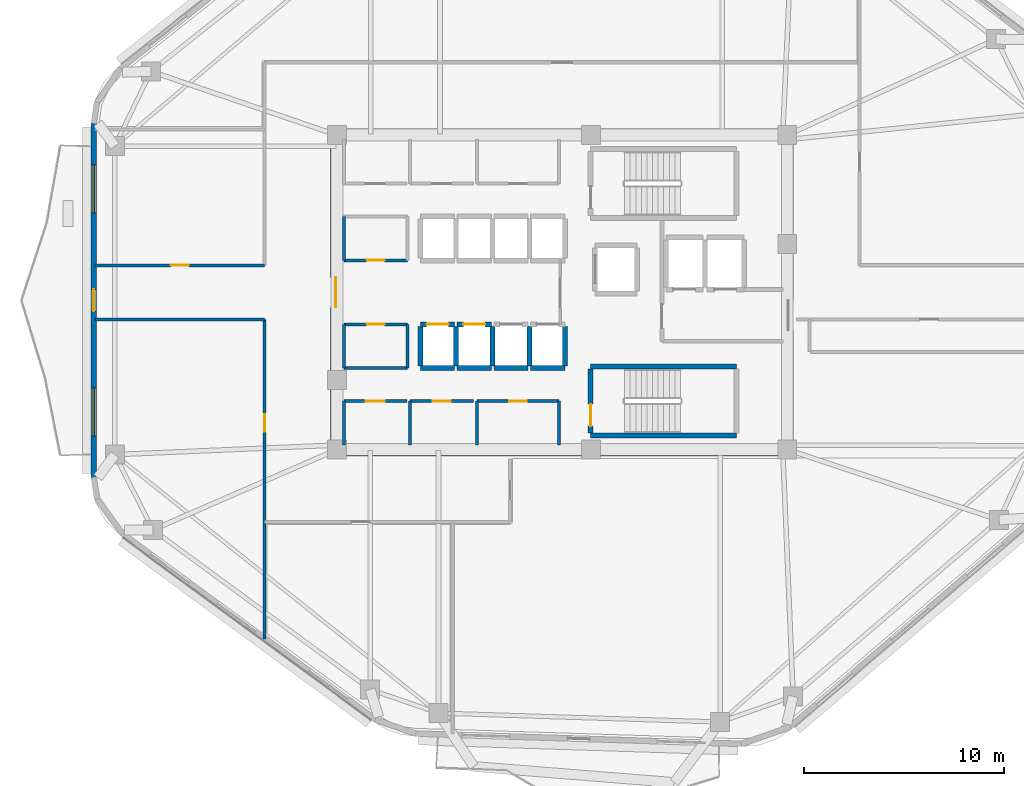
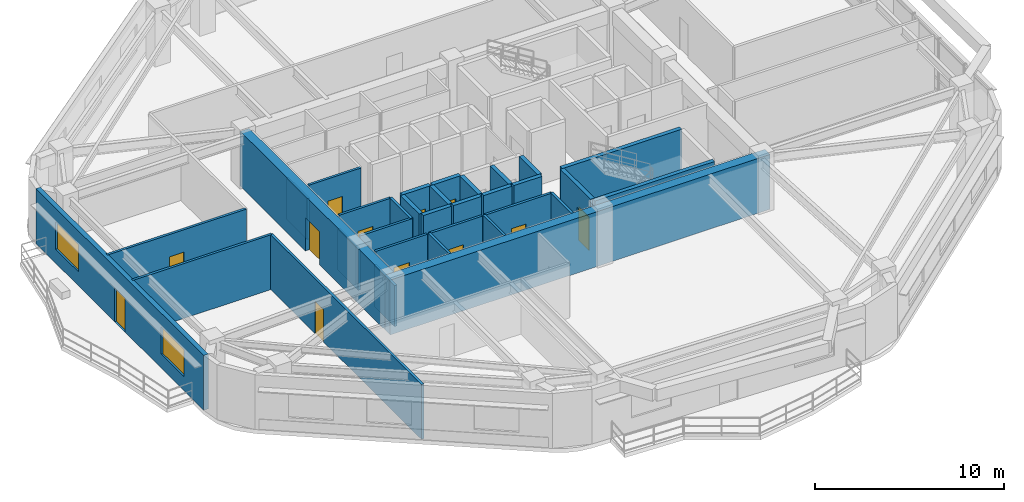
# One storey, part 8 of 14: 33 walls, 12 doors, 2 windows, 14 openings.
"""IFC4 building model written with IfcOpenShell, lengths in metres."""

from ifc_helpers import new_model, si_unit, direction, frame, frame_2d, origin, place, context, subcontext, project, spatial, rectangle, extrude, material, layer, layer_set, type_object, element, fill, save


model = new_model("IFC4")

# Units and contexts
model_context = context("Model", 3, precision=1e-05, world=origin(), true_north=direction((0.0, 1.0)))
body_context = subcontext(model_context, "Body", "Model", "MODEL_VIEW")
ifc_project = project(units=[si_unit("LENGTHUNIT", "METRE"), si_unit("AREAUNIT", "SQUARE_METRE"), si_unit("VOLUMEUNIT", "CUBIC_METRE"), si_unit("PLANEANGLEUNIT", "RADIAN"), si_unit("MASSUNIT", "GRAM", prefix="KILO")], contexts=[model_context])

# Site, building, storey
site_placement = place(None, origin())
site = spatial("IfcSite", under=ifc_project, at=site_placement, CompositionType="ELEMENT")
building_placement = place(site_placement, origin())
building = spatial("IfcBuilding", under=site, at=building_placement, Name="Zulverin Broadcast Headquarters", CompositionType="ELEMENT")
storey_placement = place(building_placement, frame((0.0, 0.0, 178.199951171875)))
storey = spatial("IfcBuildingStorey", under=building, at=storey_placement, Name="L45", CompositionType="ELEMENT", Elevation=178.199951171875)

# Wall
ifc_material_1 = material(Name="Concrete C60/75", Category="concrete")
ifc_layer_1 = layer(ifc_material_1, 0.550048828125, Name="Concrete C60/75", Category="concrete")
ifc_layer_set_1 = layer_set([ifc_layer_1], Name="Concrete C60/75")
wall_type_1 = type_object("IfcWallType", Name="WL-CORE-550", PredefinedType="SHEAR", material=ifc_layer_set_1)
wall_1_placement = place(storey_placement, frame((25.39990234375, 17.27490234375, 0.0), z_axis=(0.0, 0.0, 1.0), x_axis=(1.0, 0.0, 0.0)))
element("IfcWall", 1, at=wall_1_placement, inside=storey, type_object=wall_type_1, Name="L45 Core South Shear Wall", PredefinedType="SHEAR", context=body_context, shape_type="SweptSolid", body=[
    extrude(rectangle(XDim=23.2001953125, YDim=0.550048828125, at=frame_2d((11.60009765625, 0.0))), origin(), (0.0, 0.0, 1.0), 3.5400390625),
])

# Wall, opening, door
wall_2_placement = place(storey_placement, frame((25.675048828125, 17.550048828125, 0.0), z_axis=(0.0, 0.0, 1.0), x_axis=(0.0, 1.0, 0.0)))
wall_2 = element("IfcWall", 2, at=wall_2_placement, inside=storey, type_object=wall_type_1, Name="L45 Core West Shear Wall", PredefinedType="SHEAR", context=body_context, shape_type="SweptSolid", body=[
    extrude(rectangle(XDim=15.300048828125, YDim=0.550048828125, at=frame_2d((7.64990234375, 0.0))), origin(), (0.0, 0.0, 1.0), 3.5400390625),
])
opening_1_placement = place(wall_2_placement, frame((6.89990234375, 0.0, 0.0)))
opening_1 = element("IfcOpeningElement", 3, at=opening_1_placement, cuts=wall_2, Name="Opening D-L45-CW1", PredefinedType="OPENING", context=body_context, shape_type="SweptSolid", body=[
    extrude(rectangle(XDim=1.5, YDim=2.14990234375, at=frame_2d((0.75, 1.074951171875))), frame((0.0, 0.284912109375, 0.0), z_axis=(0.0, -1.0, 0.0), x_axis=(1.0, 0.0, 0.0)), (0.0, 0.0, 1.0), 0.570068359375),
])
ifc_material_2 = material(Name="Fire-rated glazed steel frame", Category="steel")
door_type_1 = type_object("IfcDoorType", Name="DR-COR-1500", OperationType="DOUBLE_DOOR_SINGLE_SWING", PredefinedType="DOOR", material=ifc_material_2)
door_1_placement = place(opening_1_placement, origin())
door_1 = element("IfcDoor", 4, at=door_1_placement, inside=storey, type_object=door_type_1, Name="L45 Central Lift Lobby West Portal Door", OperationType="DOUBLE_DOOR_SINGLE_SWING", OverallHeight=2.14990234375, OverallWidth=1.5, PredefinedType="DOOR", context=body_context, shape_type="SweptSolid", body=[
    extrude(rectangle(XDim=1.5, YDim=2.14990234375, at=frame_2d((0.75, 1.074951171875))), frame((0.0, 0.02490234375, 0.0), z_axis=(0.0, -1.0, 0.0), x_axis=(1.0, 0.0, 0.0)), (0.0, 0.0, 1.0), 0.050048828125),
])
fill(opening_1, door_1)

# Wall, openings, door, windows
ifc_material_3 = material(Name="Insulated pale-metal clad concrete spandrel C40/50", Category="concrete")
ifc_layer_2 = layer(ifc_material_3, 0.280029296875, Name="Insulated pale-metal clad concrete spandrel C40/50", Category="concrete")
ifc_layer_set_2 = layer_set([ifc_layer_2], Name="Insulated pale-metal clad concrete spandrel C40/50")
wall_type_2 = type_object("IfcWallType", Name="WL-EXT-280", PredefinedType="STANDARD", material=ifc_layer_set_2)
wall_3_placement = place(storey_placement, frame((13.5400390625, 33.673095703125, 0.0), z_axis=(0.0, 0.0, 1.0), x_axis=(0.0, -1.0, 0.0)))
wall_3 = element("IfcWall", 5, at=wall_3_placement, inside=storey, type_object=wall_type_2, Name="L45 Pale-Metal Clad Spandrel Wall 7", PredefinedType="STANDARD", context=body_context, shape_type="SweptSolid", body=[
    extrude(rectangle(XDim=17.751220703125, YDim=0.280029296875, at=frame_2d((8.87548828125, 0.0))), origin(), (0.0, 0.0, 1.0), 3.5400390625),
])
opening_2_placement = place(wall_3_placement, frame((8.32568359375, 0.0, 0.0)))
opening_2 = element("IfcOpeningElement", 6, at=opening_2_placement, cuts=wall_3, Name="Opening D-L45-TR7", PredefinedType="OPENING", context=body_context, shape_type="SweptSolid", body=[
    extrude(rectangle(XDim=1.10009765625, YDim=2.199951171875, at=frame_2d((0.550048828125, 1.10009765625))), frame((0.0, 0.14990234375, 0.0), z_axis=(0.0, -1.0, 0.0), x_axis=(1.0, 0.0, 0.0)), (0.0, 0.0, 1.0), 0.300048828125),
])
opening_3_placement = place(wall_3_placement, frame((2.091796875, 0.0, 0.89990234375)))
opening_3 = element("IfcOpeningElement", 7, at=opening_3_placement, cuts=wall_3, Name="Opening W-L45-E71", PredefinedType="OPENING", context=body_context, shape_type="SweptSolid", body=[
    extrude(rectangle(XDim=2.39990234375, YDim=1.75, at=frame_2d((1.199951171875, 0.875))), frame((0.0, 0.14990234375, 0.0), z_axis=(0.0, -1.0, 0.0), x_axis=(1.0, 0.0, 0.0)), (0.0, 0.0, 1.0), 0.300048828125),
])
opening_4_placement = place(wall_3_placement, frame((13.259521484375, 0.0, 0.89990234375)))
opening_4 = element("IfcOpeningElement", 8, at=opening_4_placement, cuts=wall_3, Name="Opening W-L45-E72", PredefinedType="OPENING", context=body_context, shape_type="SweptSolid", body=[
    extrude(rectangle(XDim=2.39990234375, YDim=1.75, at=frame_2d((1.199951171875, 0.875))), frame((0.0, 0.14990234375, 0.0), z_axis=(0.0, -1.0, 0.0), x_axis=(1.0, 0.0, 0.0)), (0.0, 0.0, 1.0), 0.300048828125),
])
ifc_material_4 = material(Name="Thermally broken aluminium glazed", Category="aluminium")
door_type_2 = type_object("IfcDoorType", Name="DR-TERR-1100", OperationType="SINGLE_SWING_RIGHT", PredefinedType="DOOR", material=ifc_material_4)
door_2_placement = place(opening_2_placement, origin())
door_2 = element("IfcDoor", 9, at=door_2_placement, inside=storey, type_object=door_type_2, Name="L45 Planted Terrace Glazed Access Door 7", OperationType="SINGLE_SWING_RIGHT", OverallHeight=2.199951171875, OverallWidth=1.10009765625, PredefinedType="DOOR", context=body_context, shape_type="SweptSolid", body=[
    extrude(rectangle(XDim=1.10009765625, YDim=2.199951171875, at=frame_2d((0.550048828125, 1.10009765625))), frame((0.0, 0.02490234375, 0.0), z_axis=(0.0, -1.0, 0.0), x_axis=(1.0, 0.0, 0.0)), (0.0, 0.0, 1.0), 0.050048828125),
])
fill(opening_2, door_2)
ifc_material_5 = material(Name="Pale anodized aluminium frame with solar-control low-E double glazing", Category="aluminium")
window_type = type_object("IfcWindowType", Name="WIN-RIB-2400", PartitioningType="SINGLE_PANEL", PredefinedType="WINDOW", material=ifc_material_5)
window_1_placement = place(opening_3_placement, origin())
window_1 = element("IfcWindow", 10, at=window_1_placement, inside=storey, type_object=window_type, Name="L45 Ribbon Glazing Window 7 1", OverallHeight=1.75, OverallWidth=2.39990234375, PartitioningType="SINGLE_PANEL", PredefinedType="WINDOW", context=body_context, shape_type="SweptSolid", body=[
    extrude(rectangle(XDim=2.39990234375, YDim=1.75, at=frame_2d((1.199951171875, 0.875))), frame((0.0, 0.030029296875, 0.0), z_axis=(0.0, -1.0, 0.0), x_axis=(1.0, 0.0, 0.0)), (0.0, 0.0, 1.0), 0.06005859375),
])
fill(opening_3, window_1)
window_2_placement = place(opening_4_placement, origin())
window_2 = element("IfcWindow", 11, at=window_2_placement, inside=storey, type_object=window_type, Name="L45 Ribbon Glazing Window 7 2", OverallHeight=1.75, OverallWidth=2.39990234375, PartitioningType="SINGLE_PANEL", PredefinedType="WINDOW", context=body_context, shape_type="SweptSolid", body=[
    extrude(rectangle(XDim=2.39990234375, YDim=1.75, at=frame_2d((1.199951171875, 0.875))), frame((0.0, 0.030029296875, 0.0), z_axis=(0.0, -1.0, 0.0), x_axis=(1.0, 0.0, 0.0)), (0.0, 0.0, 1.0), 0.06005859375),
])
fill(opening_4, window_2)

# Wall, opening, door
ifc_material_6 = material(Name="Fire-rated gypsum stud partition", Category="gypsum")
ifc_layer_3 = layer(ifc_material_6, 0.14990234375, Name="Fire-rated gypsum stud partition", Category="gypsum")
ifc_layer_set_3 = layer_set([ifc_layer_3], Name="Fire-rated gypsum stud partition")
wall_type_3 = type_object("IfcWallType", Name="WL-PART-150", PredefinedType="PARTITIONING", material=ifc_layer_set_3)
wall_4_placement = place(storey_placement, frame((26.070068359375, 19.75, 0.0), z_axis=(0.0, 0.0, 1.0), x_axis=(1.0, 0.0, 0.0)))
wall_4 = element("IfcWall", 12, at=wall_4_placement, inside=storey, type_object=wall_type_3, Name="L45 Core Female WC Front Wall", PredefinedType="PARTITIONING", context=body_context, shape_type="SweptSolid", body=[
    extrude(rectangle(XDim=3.14990234375, YDim=0.14990234375, at=frame_2d((1.574951171875, 0.0))), origin(), (0.0, 0.0, 1.0), 3.5400390625),
])
opening_5_placement = place(wall_4_placement, frame((1.10009765625, 0.0, 0.0)))
opening_5 = element("IfcOpeningElement", 13, at=opening_5_placement, cuts=wall_4, Name="Opening D-L45-SC1", PredefinedType="OPENING", context=body_context, shape_type="SweptSolid", body=[
    extrude(rectangle(XDim=0.949951171875, YDim=2.10009765625, at=frame_2d((0.47509765625, 1.050048828125))), frame((0.0, 0.0849609375, 0.0), z_axis=(0.0, -1.0, 0.0), x_axis=(1.0, 0.0, 0.0)), (0.0, 0.0, 1.0), 0.169921875),
])
ifc_material_7 = material(Name="Fire-rated moisture-resistant laminate leaf", Category="wood")
door_type_3 = type_object("IfcDoorType", Name="DR-WC-950", OperationType="SINGLE_SWING_LEFT", PredefinedType="DOOR", material=ifc_material_7)
door_3_placement = place(opening_5_placement, origin())
door_3 = element("IfcDoor", 14, at=door_3_placement, inside=storey, type_object=door_type_3, Name="L45 Female WC Door", OperationType="SINGLE_SWING_RIGHT", OverallHeight=2.10009765625, OverallWidth=0.949951171875, PredefinedType="DOOR", context=body_context, shape_type="SweptSolid", body=[
    extrude(rectangle(XDim=0.949951171875, YDim=2.10009765625, at=frame_2d((0.47509765625, 1.050048828125))), frame((0.0, 0.02490234375, 0.0), z_axis=(0.0, -1.0, 0.0), x_axis=(1.0, 0.0, 0.0)), (0.0, 0.0, 1.0), 0.050048828125),
])
fill(opening_5, door_3)

# Wall
wall_5_placement = place(storey_placement, frame((26.070068359375, 17.550048828125, 0.0), z_axis=(0.0, 0.0, 1.0), x_axis=(0.0, 1.0, 0.0)))
element("IfcWall", 15, at=wall_5_placement, inside=storey, type_object=wall_type_3, Name="L45 Core Female WC West Wall", PredefinedType="PARTITIONING", context=body_context, shape_type="SweptSolid", body=[
    extrude(rectangle(XDim=2.199951171875, YDim=0.14990234375, at=frame_2d((1.10009765625, 0.0))), origin(), (0.0, 0.0, 1.0), 2.64013671875),
])

# Wall, opening, door
wall_6_placement = place(storey_placement, frame((29.3798828125, 19.75, 0.0), z_axis=(0.0, 0.0, 1.0), x_axis=(1.0, 0.0, 0.0)))
wall_6 = element("IfcWall", 16, at=wall_6_placement, inside=storey, type_object=wall_type_3, Name="L45 Core Cleaner Store Front Wall", PredefinedType="PARTITIONING", context=body_context, shape_type="SweptSolid", body=[
    extrude(rectangle(XDim=3.190185546875, YDim=0.14990234375, at=frame_2d((1.59521484375, 0.0))), origin(), (0.0, 0.0, 1.0), 3.5400390625),
])
opening_6_placement = place(wall_6_placement, frame((1.14501953125, 0.0, 0.0)))
opening_6 = element("IfcOpeningElement", 17, at=opening_6_placement, cuts=wall_6, Name="Opening D-L45-SC2", PredefinedType="OPENING", context=body_context, shape_type="SweptSolid", body=[
    extrude(rectangle(XDim=0.89990234375, YDim=2.10009765625, at=frame_2d((0.449951171875, 1.050048828125))), frame((0.0, 0.0849609375, 0.0), z_axis=(0.0, -1.0, 0.0), x_axis=(1.0, 0.0, 0.0)), (0.0, 0.0, 1.0), 0.169921875),
])
ifc_material_8 = material(Name="Powder-coated steel access leaf", Category="steel")
door_type_4 = type_object("IfcDoorType", Name="DR-RISER-900", OperationType="SINGLE_SWING_LEFT", PredefinedType="DOOR", material=ifc_material_8)
door_4_placement = place(opening_6_placement, origin())
door_4 = element("IfcDoor", 18, at=door_4_placement, inside=storey, type_object=door_type_4, Name="L45 Cleaner Store Door", OperationType="SINGLE_SWING_LEFT", OverallHeight=2.10009765625, OverallWidth=0.89990234375, PredefinedType="DOOR", context=body_context, shape_type="SweptSolid", body=[
    extrude(rectangle(XDim=0.89990234375, YDim=2.10009765625, at=frame_2d((0.449951171875, 1.050048828125))), frame((0.0, 0.02490234375, 0.0), z_axis=(0.0, -1.0, 0.0), x_axis=(1.0, 0.0, 0.0)), (0.0, 0.0, 1.0), 0.050048828125),
])
fill(opening_6, door_4)

# Wall
wall_7_placement = place(storey_placement, frame((29.3798828125, 17.550048828125, 0.0), z_axis=(0.0, 0.0, 1.0), x_axis=(0.0, 1.0, 0.0)))
element("IfcWall", 19, at=wall_7_placement, inside=storey, type_object=wall_type_3, Name="L45 Core Cleaner Store West Wall", PredefinedType="PARTITIONING", context=body_context, shape_type="SweptSolid", body=[
    extrude(rectangle(XDim=2.199951171875, YDim=0.14990234375, at=frame_2d((1.10009765625, 0.0))), origin(), (0.0, 0.0, 1.0), 3.5400390625),
])

# Wall, opening, door
wall_8_placement = place(storey_placement, frame((32.72998046875, 19.75, 0.0), z_axis=(0.0, 0.0, 1.0), x_axis=(1.0, 0.0, 0.0)))
wall_8 = element("IfcWall", 20, at=wall_8_placement, inside=storey, type_object=wall_type_3, Name="L45 Core Broadcast Fibre Riser Front Wall", PredefinedType="PARTITIONING", context=body_context, shape_type="SweptSolid", body=[
    extrude(rectangle(XDim=4.1201171875, YDim=0.14990234375, at=frame_2d((2.06005859375, 0.0))), origin(), (0.0, 0.0, 1.0), 3.5400390625),
])
opening_7_placement = place(wall_8_placement, frame((1.610107421875, 0.0, 0.0)))
opening_7 = element("IfcOpeningElement", 21, at=opening_7_placement, cuts=wall_8, Name="Opening D-L45-SC3", PredefinedType="OPENING", context=body_context, shape_type="SweptSolid", body=[
    extrude(rectangle(XDim=0.89990234375, YDim=2.10009765625, at=frame_2d((0.449951171875, 1.050048828125))), frame((0.0, 0.0849609375, 0.0), z_axis=(0.0, -1.0, 0.0), x_axis=(1.0, 0.0, 0.0)), (0.0, 0.0, 1.0), 0.169921875),
])
door_5_placement = place(opening_7_placement, origin())
door_5 = element("IfcDoor", 22, at=door_5_placement, inside=storey, type_object=door_type_4, Name="L45 Broadcast Fibre Riser Door", OperationType="SINGLE_SWING_RIGHT", OverallHeight=2.10009765625, OverallWidth=0.89990234375, PredefinedType="DOOR", context=body_context, shape_type="SweptSolid", body=[
    extrude(rectangle(XDim=0.89990234375, YDim=2.10009765625, at=frame_2d((0.449951171875, 1.050048828125))), frame((0.0, 0.02490234375, 0.0), z_axis=(0.0, -1.0, 0.0), x_axis=(1.0, 0.0, 0.0)), (0.0, 0.0, 1.0), 0.050048828125),
])
fill(opening_7, door_5)

# Walls
for number, where, z_axis, x_axis, name in (
    (23, (32.72998046875, 17.550048828125, 0.0), (0.0, 0.0, 1.0), (0.0, 1.0, 0.0), "L45 Core Broadcast Fibre Riser West Wall"),
    (24, (36.85009765625, 17.550048828125, 0.0), (0.0, 0.0, 1.0), (0.0, 1.0, 0.0), "L45 Core Broadcast Fibre Riser East Wall"),
):
    element("IfcWall", number, at=place(storey_placement, frame(where, z_axis=z_axis, x_axis=x_axis)), inside=storey, type_object=wall_type_3, Name=name, PredefinedType="PARTITIONING", context=body_context, shape_type="SweptSolid", body=[
        extrude(rectangle(XDim=2.199951171875, YDim=0.14990234375, at=frame_2d((1.10009765625, 0.0))), origin(), (0.0, 0.0, 1.0), 3.5400390625),
    ])

# Wall, opening, door
wall_9_placement = place(storey_placement, frame((26.070068359375, 26.800048828125, 0.0), z_axis=(0.0, 0.0, 1.0), x_axis=(1.0, 0.0, 0.0)))
wall_9 = element("IfcWall", 25, at=wall_9_placement, inside=storey, type_object=wall_type_3, Name="L45 Core UPS Battery Store S Wall", PredefinedType="PARTITIONING", context=body_context, shape_type="SweptSolid", body=[
    extrude(rectangle(XDim=3.179931640625, YDim=0.14990234375, at=frame_2d((1.58984375, 0.0))), origin(), (0.0, 0.0, 1.0), 3.5400390625),
])
opening_8_placement = place(wall_9_placement, frame((1.139892578125, 0.0, 0.0)))
opening_8 = element("IfcOpeningElement", 26, at=opening_8_placement, cuts=wall_9, Name="Opening D-L45-RCLN", PredefinedType="OPENING", context=body_context, shape_type="SweptSolid", body=[
    extrude(rectangle(XDim=0.89990234375, YDim=2.10009765625, at=frame_2d((0.449951171875, 1.050048828125))), frame((0.0, 0.0849609375, 0.0), z_axis=(0.0, -1.0, 0.0), x_axis=(1.0, 0.0, 0.0)), (0.0, 0.0, 1.0), 0.169921875),
])
door_6_placement = place(opening_8_placement, origin())
door_6 = element("IfcDoor", 27, at=door_6_placement, inside=storey, type_object=door_type_4, Name="L45 Core UPS Battery Store Door", OperationType="SINGLE_SWING_LEFT", OverallHeight=2.10009765625, OverallWidth=0.89990234375, PredefinedType="DOOR", context=body_context, shape_type="SweptSolid", body=[
    extrude(rectangle(XDim=0.89990234375, YDim=2.10009765625, at=frame_2d((0.449951171875, 1.050048828125))), frame((0.0, 0.02490234375, 0.0), z_axis=(0.0, -1.0, 0.0), x_axis=(1.0, 0.0, 0.0)), (0.0, 0.0, 1.0), 0.050048828125),
])
fill(opening_8, door_6)

# Walls
wall_10_placement = place(storey_placement, frame((26.070068359375, 26.800048828125, 0.0), z_axis=(0.0, 0.0, 1.0), x_axis=(0.0, 1.0, 0.0)))
element("IfcWall", 28, at=wall_10_placement, inside=storey, type_object=wall_type_3, Name="L45 Core UPS Battery Store W Wall", PredefinedType="PARTITIONING", context=body_context, shape_type="SweptSolid", body=[
    extrude(rectangle(XDim=2.199951171875, YDim=0.14990234375, at=frame_2d((1.10009765625, 0.0))), origin(), (0.0, 0.0, 1.0), 2.64013671875),
])
wall_11_placement = place(storey_placement, frame((26.070068359375, 21.39990234375, 0.0), z_axis=(0.0, 0.0, 1.0), x_axis=(1.0, 0.0, 0.0)))
element("IfcWall", 29, at=wall_11_placement, inside=storey, type_object=wall_type_3, Name="L45 Housekeeping Equipment Store S Wall", PredefinedType="PARTITIONING", context=body_context, shape_type="SweptSolid", body=[
    extrude(rectangle(XDim=3.179931640625, YDim=0.14990234375, at=frame_2d((1.58984375, 0.0))), origin(), (0.0, 0.0, 1.0), 3.5400390625),
])

# Wall, opening, door
wall_12_placement = place(storey_placement, frame((26.070068359375, 23.60009765625, 0.0), z_axis=(0.0, 0.0, 1.0), x_axis=(1.0, 0.0, 0.0)))
wall_12 = element("IfcWall", 30, at=wall_12_placement, inside=storey, type_object=wall_type_3, Name="L45 Housekeeping Equipment Store N Wall", PredefinedType="PARTITIONING", context=body_context, shape_type="SweptSolid", body=[
    extrude(rectangle(XDim=3.179931640625, YDim=0.14990234375, at=frame_2d((1.58984375, 0.0))), origin(), (0.0, 0.0, 1.0), 3.5400390625),
])
opening_9_placement = place(wall_12_placement, frame((1.139892578125, 0.0, 0.0)))
opening_9 = element("IfcOpeningElement", 31, at=opening_9_placement, cuts=wall_12, Name="Opening D-L45-RCLS", PredefinedType="OPENING", context=body_context, shape_type="SweptSolid", body=[
    extrude(rectangle(XDim=0.89990234375, YDim=2.10009765625, at=frame_2d((0.449951171875, 1.050048828125))), frame((0.0, 0.0849609375, 0.0), z_axis=(0.0, -1.0, 0.0), x_axis=(1.0, 0.0, 0.0)), (0.0, 0.0, 1.0), 0.169921875),
])
door_7_placement = place(opening_9_placement, origin())
door_7 = element("IfcDoor", 32, at=door_7_placement, inside=storey, type_object=door_type_4, Name="L45 Housekeeping Equipment Store Door", OperationType="SINGLE_SWING_RIGHT", OverallHeight=2.10009765625, OverallWidth=0.89990234375, PredefinedType="DOOR", context=body_context, shape_type="SweptSolid", body=[
    extrude(rectangle(XDim=0.89990234375, YDim=2.10009765625, at=frame_2d((0.449951171875, 1.050048828125))), frame((0.0, 0.02490234375, 0.0), z_axis=(0.0, -1.0, 0.0), x_axis=(1.0, 0.0, 0.0)), (0.0, 0.0, 1.0), 0.050048828125),
])
fill(opening_9, door_7)

# Walls
wall_13_placement = place(storey_placement, frame((26.070068359375, 21.39990234375, 0.0), z_axis=(0.0, 0.0, 1.0), x_axis=(0.0, 1.0, 0.0)))
element("IfcWall", 33, at=wall_13_placement, inside=storey, type_object=wall_type_3, Name="L45 Housekeeping Equipment Store W Wall", PredefinedType="PARTITIONING", context=body_context, shape_type="SweptSolid", body=[
    extrude(rectangle(XDim=2.2001953125, YDim=0.14990234375, at=frame_2d((1.10009765625, 0.0))), origin(), (0.0, 0.0, 1.0), 2.64013671875),
])
wall_14_placement = place(storey_placement, frame((29.25, 21.39990234375, 0.0), z_axis=(0.0, 0.0, 1.0), x_axis=(0.0, 1.0, 0.0)))
element("IfcWall", 34, at=wall_14_placement, inside=storey, type_object=wall_type_3, Name="L45 Housekeeping Equipment Store E Wall", PredefinedType="PARTITIONING", context=body_context, shape_type="SweptSolid", body=[
    extrude(rectangle(XDim=2.2001953125, YDim=0.14990234375, at=frame_2d((1.10009765625, 0.0))), origin(), (0.0, 0.0, 1.0), 3.5400390625),
])

# Wall, opening, door
wall_15_placement = place(storey_placement, frame((22.10009765625, 7.846435546875, 0.0), z_axis=(0.0, 0.0, 1.0), x_axis=(0.0, 1.0, 0.0)))
wall_15 = element("IfcWall", 35, at=wall_15_placement, inside=storey, type_object=wall_type_3, Name="L45 Gallery Partition Wall CG-05", PredefinedType="PARTITIONING", context=body_context, shape_type="SweptSolid", body=[
    extrude(rectangle(XDim=16.003662109375, YDim=0.14990234375, at=frame_2d((8.001953125, 0.0))), origin(), (0.0, 0.0, 1.0), 3.5400390625),
])
opening_10_placement = place(wall_15_placement, frame((10.358642578125, 0.0, 0.0)))
opening_10 = element("IfcOpeningElement", 36, at=opening_10_placement, cuts=wall_15, Name="Opening D-L45-04", PredefinedType="OPENING", context=body_context, shape_type="SweptSolid", body=[
    extrude(rectangle(XDim=0.89990234375, YDim=2.10009765625, at=frame_2d((0.449951171875, 1.050048828125))), frame((0.0, 0.0849609375, 0.0), z_axis=(0.0, -1.0, 0.0), x_axis=(1.0, 0.0, 0.0)), (0.0, 0.0, 1.0), 0.169921875),
])
ifc_material_9 = material(Name="Fire-rated hardwood veneer timber leaf", Category="wood")
door_type_5 = type_object("IfcDoorType", Name="DR-ROOM-900", OperationType="SINGLE_SWING_RIGHT", PredefinedType="DOOR", material=ifc_material_9)
door_8_placement = place(opening_10_placement, origin())
door_8 = element("IfcDoor", 37, at=door_8_placement, inside=storey, type_object=door_type_5, Name="L45 Systems Control Suite Door", OperationType="SINGLE_SWING_LEFT", OverallHeight=2.10009765625, OverallWidth=0.89990234375, PredefinedType="DOOR", context=body_context, shape_type="SweptSolid", body=[
    extrude(rectangle(XDim=0.89990234375, YDim=2.10009765625, at=frame_2d((0.449951171875, 1.050048828125))), frame((0.0, 0.02490234375, 0.0), z_axis=(0.0, -1.0, 0.0), x_axis=(1.0, 0.0, 0.0)), (0.0, 0.0, 1.0), 0.050048828125),
])
fill(opening_10, door_8)

# Wall
wall_16_placement = place(storey_placement, frame((13.60498046875, 23.85009765625, 0.0), z_axis=(0.0, 0.0, 1.0), x_axis=(1.0, 0.0, 0.0)))
element("IfcWall", 38, at=wall_16_placement, inside=storey, type_object=wall_type_3, Name="L45 Gallery Partition Wall CG-09", PredefinedType="PARTITIONING", context=body_context, shape_type="SweptSolid", body=[
    extrude(rectangle(XDim=8.4951171875, YDim=0.14990234375, at=frame_2d((4.24755859375, 0.0))), origin(), (0.0, 0.0, 1.0), 3.5400390625),
])

# Wall, opening, door
wall_17_placement = place(storey_placement, frame((13.60498046875, 26.550048828125, 0.0), z_axis=(0.0, 0.0, 1.0), x_axis=(1.0, 0.0, 0.0)))
wall_17 = element("IfcWall", 39, at=wall_17_placement, inside=storey, type_object=wall_type_3, Name="L45 Gallery Partition Wall CG-11", PredefinedType="PARTITIONING", context=body_context, shape_type="SweptSolid", body=[
    extrude(rectangle(XDim=8.4951171875, YDim=0.14990234375, at=frame_2d((4.24755859375, 0.0))), origin(), (0.0, 0.0, 1.0), 3.5400390625),
])
opening_11_placement = place(wall_17_placement, frame((3.797607421875, 0.0, 0.0)))
opening_11 = element("IfcOpeningElement", 40, at=opening_11_placement, cuts=wall_17, Name="Opening D-L45-05", PredefinedType="OPENING", context=body_context, shape_type="SweptSolid", body=[
    extrude(rectangle(XDim=0.89990234375, YDim=2.10009765625, at=frame_2d((0.449951171875, 1.050048828125))), frame((0.0, 0.0849609375, 0.0), z_axis=(0.0, -1.0, 0.0), x_axis=(1.0, 0.0, 0.0)), (0.0, 0.0, 1.0), 0.169921875),
])
door_9_placement = place(opening_11_placement, origin())
door_9 = element("IfcDoor", 41, at=door_9_placement, inside=storey, type_object=door_type_5, Name="L45 Conference Room Door", OperationType="SINGLE_SWING_RIGHT", OverallHeight=2.10009765625, OverallWidth=0.89990234375, PredefinedType="DOOR", context=body_context, shape_type="SweptSolid", body=[
    extrude(rectangle(XDim=0.89990234375, YDim=2.10009765625, at=frame_2d((0.449951171875, 1.050048828125))), frame((0.0, 0.02490234375, 0.0), z_axis=(0.0, -1.0, 0.0), x_axis=(1.0, 0.0, 0.0)), (0.0, 0.0, 1.0), 0.050048828125),
])
fill(opening_11, door_9)

# Walls
ifc_material_10 = material(Name="Concrete C50/60", Category="concrete")
ifc_layer_4 = layer(ifc_material_10, 0.25, Name="Concrete C50/60", Category="concrete")
ifc_layer_set_4 = layer_set([ifc_layer_4], Name="Concrete C50/60")
wall_type_4 = type_object("IfcWallType", Name="WL-SHAFT-250", PredefinedType="SHEAR", material=ifc_layer_set_4)
for number, where, z_axis, x_axis, name in (
    (42, (38.425048828125, 18.02490234375, 0.0), (0.0, 0.0, 1.0), (1.0, 0.0, 0.0), "L45 ST-2 Enclosure Wall S"),
    (43, (38.425048828125, 21.47509765625, 0.0), (0.0, 0.0, 1.0), (1.0, 0.0, 0.0), "L45 ST-2 Enclosure Wall N"),
):
    element("IfcWall", number, at=place(storey_placement, frame(where, z_axis=z_axis, x_axis=x_axis)), inside=storey, type_object=wall_type_4, Name=name, PredefinedType="SHEAR", context=body_context, shape_type="SweptSolid", body=[
        extrude(rectangle(XDim=7.300048828125, YDim=0.25, at=frame_2d((3.64990234375, 0.0))), origin(), (0.0, 0.0, 1.0), 3.5400390625),
    ])

# Wall, opening, door
wall_18_placement = place(storey_placement, frame((38.425048828125, 18.14990234375, 0.0), z_axis=(0.0, 0.0, 1.0), x_axis=(0.0, 1.0, 0.0)))
wall_18 = element("IfcWall", 44, at=wall_18_placement, inside=storey, type_object=wall_type_4, Name="L45 ST-2 Enclosure Wall W", PredefinedType="SHEAR", context=body_context, shape_type="SweptSolid", body=[
    extrude(rectangle(XDim=3.2001953125, YDim=0.25, at=frame_2d((1.60009765625, 0.0))), origin(), (0.0, 0.0, 1.0), 3.5400390625),
])
opening_12_placement = place(wall_18_placement, frame((0.35009765625, 0.0, 0.0)))
opening_12 = element("IfcOpeningElement", 45, at=opening_12_placement, cuts=wall_18, Name="Opening D-L45-ST-2", PredefinedType="OPENING", context=body_context, shape_type="SweptSolid", body=[
    extrude(rectangle(XDim=1.10009765625, YDim=2.14990234375, at=frame_2d((0.550048828125, 1.074951171875))), frame((0.0, 0.135009765625, 0.0), z_axis=(0.0, -1.0, 0.0), x_axis=(1.0, 0.0, 0.0)), (0.0, 0.0, 1.0), 0.27001953125),
])
ifc_material_11 = material(Name="Fire-rated steel leaf and frame", Category="steel")
door_type_6 = type_object("IfcDoorType", Name="DR-STAIR-1100", OperationType="SINGLE_SWING_LEFT", PredefinedType="DOOR", material=ifc_material_11)
door_10_placement = place(opening_12_placement, origin())
door_10 = element("IfcDoor", 46, at=door_10_placement, inside=storey, type_object=door_type_6, Name="L45 Exit Stair ST-2 Fire Door", OperationType="SINGLE_SWING_RIGHT", OverallHeight=2.14990234375, OverallWidth=1.10009765625, PredefinedType="DOOR", context=body_context, shape_type="SweptSolid", body=[
    extrude(rectangle(XDim=1.10009765625, YDim=2.14990234375, at=frame_2d((0.550048828125, 1.074951171875))), frame((0.0, 0.02490234375, 0.0), z_axis=(0.0, -1.0, 0.0), x_axis=(1.0, 0.0, 0.0)), (0.0, 0.0, 1.0), 0.050048828125),
])
fill(opening_12, door_10)

# Wall
wall_19_placement = place(storey_placement, frame((29.89990234375, 21.39990234375, 0.0), z_axis=(0.0, 0.0, 1.0), x_axis=(1.0, 0.0, 0.0)))
element("IfcWall", 47, at=wall_19_placement, inside=storey, type_object=wall_type_4, Name="L45 Lift PL-M1 Shaft Wall S", PredefinedType="SHEAR", context=body_context, shape_type="SweptSolid", body=[
    extrude(rectangle(XDim=1.72021484375, YDim=0.25, at=frame_2d((0.860107421875, 0.0))), origin(), (0.0, 0.0, 1.0), 3.5400390625),
])

# Wall, opening, door
wall_20_placement = place(storey_placement, frame((29.89990234375, 23.60009765625, 0.0), z_axis=(0.0, 0.0, 1.0), x_axis=(1.0, 0.0, 0.0)))
wall_20 = element("IfcWall", 48, at=wall_20_placement, inside=storey, type_object=wall_type_4, Name="L45 Lift PL-M1 Shaft Wall N", PredefinedType="SHEAR", context=body_context, shape_type="SweptSolid", body=[
    extrude(rectangle(XDim=1.72021484375, YDim=0.25, at=frame_2d((0.860107421875, 0.0))), origin(), (0.0, 0.0, 1.0), 3.5400390625),
])
opening_13_placement = place(wall_20_placement, frame((0.31005859375, 0.0, 0.0)))
opening_13 = element("IfcOpeningElement", 49, at=opening_13_placement, cuts=wall_20, Name="Opening LD-PL-M1-L45", PredefinedType="OPENING", context=body_context, shape_type="SweptSolid", body=[
    extrude(rectangle(XDim=1.10009765625, YDim=2.14990234375, at=frame_2d((0.550048828125, 1.074951171875))), frame((0.0, 0.135009765625, 0.0), z_axis=(0.0, -1.0, 0.0), x_axis=(1.0, 0.0, 0.0)), (0.0, 0.0, 1.0), 0.27001953125),
])
ifc_material_12 = material(Name="Brushed stainless steel landing", Category="steel")
door_type_7 = type_object("IfcDoorType", Name="LD-PASS-1100", OperationType="DOUBLE_DOOR_SLIDING", PredefinedType="DOOR", material=ifc_material_12)
door_11_placement = place(opening_13_placement, origin())
door_11 = element("IfcDoor", 50, at=door_11_placement, inside=storey, type_object=door_type_7, Name="L45 Lift PL-M1 Sliding Landing Door", OperationType="DOUBLE_DOOR_SLIDING", OverallHeight=2.14990234375, OverallWidth=1.10009765625, PredefinedType="DOOR", context=body_context, shape_type="SweptSolid", body=[
    extrude(rectangle(XDim=1.10009765625, YDim=2.14990234375, at=frame_2d((0.550048828125, 1.074951171875))), frame((0.0, 0.02490234375, 0.0), z_axis=(0.0, -1.0, 0.0), x_axis=(1.0, 0.0, 0.0)), (0.0, 0.0, 1.0), 0.050048828125),
])
fill(opening_13, door_11)

# Walls
for number, where, z_axis, x_axis, name in (
    (51, (29.89990234375, 21.52001953125, 0.0), (0.0, 0.0, 1.0), (0.0, 1.0, 0.0), "L45 Lift PL-M1 Shaft Wall W"),
    (52, (31.679931640625, 21.52001953125, 0.0), (0.0, 0.0, 1.0), (0.0, 1.0, 0.0), "L45 Lift PL-M1 Shaft Wall E"),
):
    element("IfcWall", number, at=place(storey_placement, frame(where, z_axis=z_axis, x_axis=x_axis)), inside=storey, type_object=wall_type_4, Name=name, PredefinedType="SHEAR", context=body_context, shape_type="SweptSolid", body=[
        extrude(rectangle(XDim=1.9599609375, YDim=0.25, at=frame_2d((0.97998046875, 0.0))), origin(), (0.0, 0.0, 1.0), 3.5400390625),
    ])
wall_21_placement = place(storey_placement, frame((31.739990234375, 21.39990234375, 0.0), z_axis=(0.0, 0.0, 1.0), x_axis=(1.0, 0.0, 0.0)))
element("IfcWall", 53, at=wall_21_placement, inside=storey, type_object=wall_type_4, Name="L45 Lift PL-M2 Shaft Wall S", PredefinedType="SHEAR", context=body_context, shape_type="SweptSolid", body=[
    extrude(rectangle(XDim=1.719970703125, YDim=0.25, at=frame_2d((0.85986328125, 0.0))), origin(), (0.0, 0.0, 1.0), 3.5400390625),
])

# Wall, opening, door
wall_22_placement = place(storey_placement, frame((31.739990234375, 23.60009765625, 0.0), z_axis=(0.0, 0.0, 1.0), x_axis=(1.0, 0.0, 0.0)))
wall_22 = element("IfcWall", 54, at=wall_22_placement, inside=storey, type_object=wall_type_4, Name="L45 Lift PL-M2 Shaft Wall N", PredefinedType="SHEAR", context=body_context, shape_type="SweptSolid", body=[
    extrude(rectangle(XDim=1.719970703125, YDim=0.25, at=frame_2d((0.85986328125, 0.0))), origin(), (0.0, 0.0, 1.0), 3.5400390625),
])
opening_14_placement = place(wall_22_placement, frame((0.31005859375, 0.0, 0.0)))
opening_14 = element("IfcOpeningElement", 55, at=opening_14_placement, cuts=wall_22, Name="Opening LD-PL-M2-L45", PredefinedType="OPENING", context=body_context, shape_type="SweptSolid", body=[
    extrude(rectangle(XDim=1.10009765625, YDim=2.14990234375, at=frame_2d((0.550048828125, 1.074951171875))), frame((0.0, 0.135009765625, 0.0), z_axis=(0.0, -1.0, 0.0), x_axis=(1.0, 0.0, 0.0)), (0.0, 0.0, 1.0), 0.27001953125),
])
door_12_placement = place(opening_14_placement, origin())
door_12 = element("IfcDoor", 56, at=door_12_placement, inside=storey, type_object=door_type_7, Name="L45 Lift PL-M2 Sliding Landing Door", OperationType="DOUBLE_DOOR_SLIDING", OverallHeight=2.14990234375, OverallWidth=1.10009765625, PredefinedType="DOOR", context=body_context, shape_type="SweptSolid", body=[
    extrude(rectangle(XDim=1.10009765625, YDim=2.14990234375, at=frame_2d((0.550048828125, 1.074951171875))), frame((0.0, 0.02490234375, 0.0), z_axis=(0.0, -1.0, 0.0), x_axis=(1.0, 0.0, 0.0)), (0.0, 0.0, 1.0), 0.050048828125),
])
fill(opening_14, door_12)

# Walls
wall_23_placement = place(storey_placement, frame((33.52001953125, 21.52001953125, 0.0), z_axis=(0.0, 0.0, 1.0), x_axis=(0.0, 1.0, 0.0)))
element("IfcWall", 57, at=wall_23_placement, inside=storey, type_object=wall_type_4, Name="L45 Lift PL-M2 Shaft Wall E", PredefinedType="SHEAR", context=body_context, shape_type="SweptSolid", body=[
    extrude(rectangle(XDim=1.9599609375, YDim=0.25, at=frame_2d((0.97998046875, 0.0))), origin(), (0.0, 0.0, 1.0), 3.5400390625),
])
wall_24_placement = place(storey_placement, frame((33.580078125, 21.39990234375, 0.0), z_axis=(0.0, 0.0, 1.0), x_axis=(1.0, 0.0, 0.0)))
element("IfcWall", 58, at=wall_24_placement, inside=storey, type_object=wall_type_4, Name="L45 Lift PL-M3 Shaft Wall S", PredefinedType="SHEAR", context=body_context, shape_type="SweptSolid", body=[
    extrude(rectangle(XDim=1.719970703125, YDim=0.25, at=frame_2d((0.85986328125, 0.0))), origin(), (0.0, 0.0, 1.0), 3.5400390625),
])
wall_25_placement = place(storey_placement, frame((35.360107421875, 21.52001953125, 0.0), z_axis=(0.0, 0.0, 1.0), x_axis=(0.0, 1.0, 0.0)))
element("IfcWall", 59, at=wall_25_placement, inside=storey, type_object=wall_type_4, Name="L45 Lift PL-M3 Shaft Wall E", PredefinedType="SHEAR", context=body_context, shape_type="SweptSolid", body=[
    extrude(rectangle(XDim=1.9599609375, YDim=0.25, at=frame_2d((0.97998046875, 0.0))), origin(), (0.0, 0.0, 1.0), 3.5400390625),
])
wall_26_placement = place(storey_placement, frame((35.419921875, 21.39990234375, 0.0), z_axis=(0.0, 0.0, 1.0), x_axis=(1.0, 0.0, 0.0)))
element("IfcWall", 60, at=wall_26_placement, inside=storey, type_object=wall_type_4, Name="L45 Lift PL-M4 Shaft Wall S", PredefinedType="SHEAR", context=body_context, shape_type="SweptSolid", body=[
    extrude(rectangle(XDim=1.719970703125, YDim=0.25, at=frame_2d((0.85986328125, 0.0))), origin(), (0.0, 0.0, 1.0), 3.5400390625),
])
wall_27_placement = place(storey_placement, frame((37.139892578125, 21.52001953125, 0.0), z_axis=(0.0, 0.0, 1.0), x_axis=(0.0, 1.0, 0.0)))
element("IfcWall", 61, at=wall_27_placement, inside=storey, type_object=wall_type_4, Name="L45 Lift PL-M4 Shaft Wall E", PredefinedType="SHEAR", context=body_context, shape_type="SweptSolid", body=[
    extrude(rectangle(XDim=1.9599609375, YDim=0.25, at=frame_2d((0.97998046875, 0.0))), origin(), (0.0, 0.0, 1.0), 3.5400390625),
])

save(model, "model.ifc")
